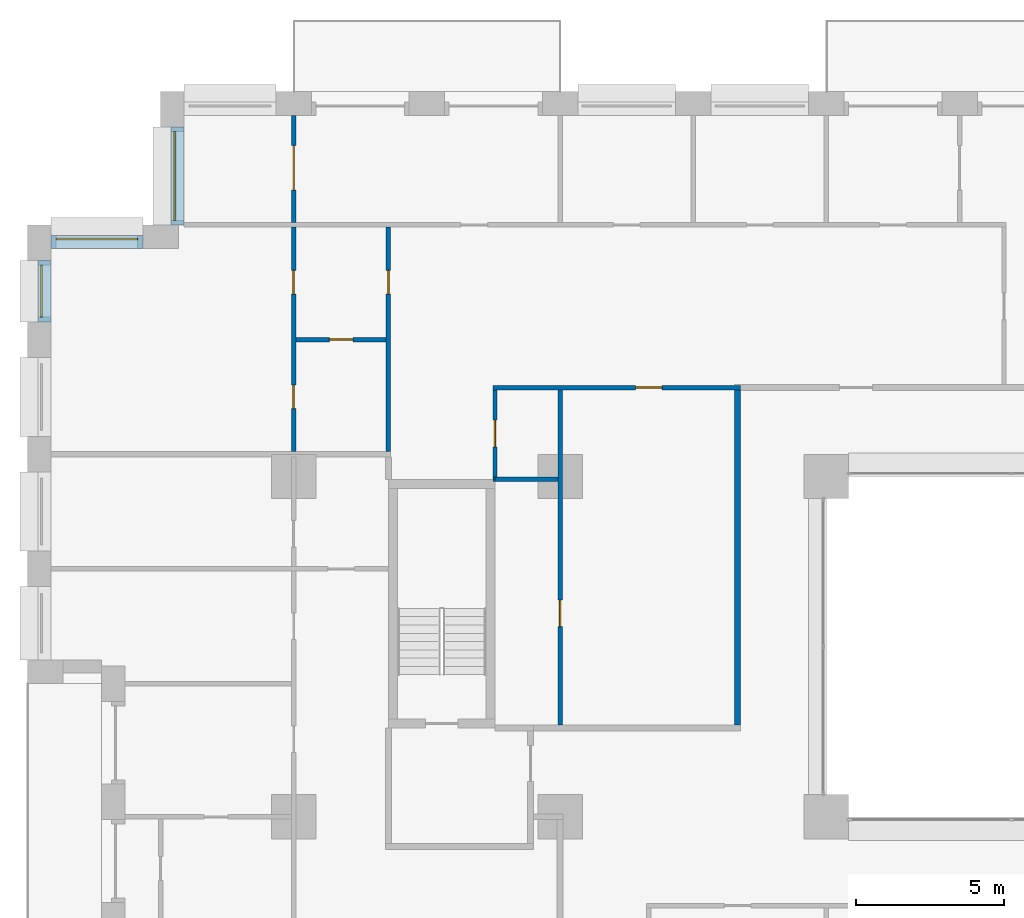
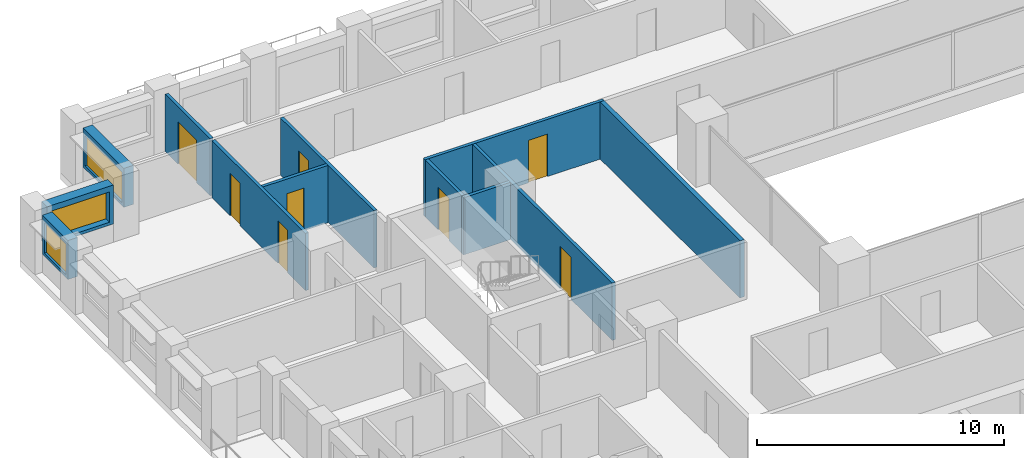
# One storey, part 14 of 20: 13 walls, 8 doors, 3 windows, 11 openings.
"""IFC4 building model written with IfcOpenShell, lengths in metres."""

from ifc_helpers import new_model, si_unit, direction, frame, frame_2d, origin, place, context, subcontext, project, spatial, rectangle, extrude, material, layer, layer_set, type_object, element, fill, save


model = new_model("IFC4")

# Units and contexts
model_context = context("Model", 3, precision=1e-05, world=origin(), true_north=direction((0.0, 1.0)))
body_context = subcontext(model_context, "Body", "Model", "MODEL_VIEW")
ifc_project = project(units=[si_unit("LENGTHUNIT", "METRE"), si_unit("AREAUNIT", "SQUARE_METRE"), si_unit("VOLUMEUNIT", "CUBIC_METRE"), si_unit("PLANEANGLEUNIT", "RADIAN"), si_unit("MASSUNIT", "GRAM", prefix="KILO")], contexts=[model_context])

# Site, building, storey
site_placement = place(None, origin())
site = spatial("IfcSite", under=ifc_project, at=site_placement, CompositionType="ELEMENT")
building_placement = place(site_placement, origin())
building = spatial("IfcBuilding", under=site, at=building_placement, Name="Brigalow Station Residences", CompositionType="ELEMENT")
storey_placement = place(building_placement, frame((0.0, 0.0, 41.550048828125)))
storey = spatial("IfcBuildingStorey", under=building, at=storey_placement, Name="L11", CompositionType="ELEMENT", Elevation=41.550048828125)

# Wall, opening, window
ifc_material_1 = material(Name="Clay brick masonry", Category="masonry")
ifc_layer_1 = layer(ifc_material_1, 0.449951171875)
ifc_layer_set_1 = layer_set([ifc_layer_1], Name="BRICK INFILL WALL 450")
wall_type_1 = type_object("IfcWallType", Name="BRICK INFILL WALL 450", PredefinedType="SOLIDWALL", material=ifc_layer_set_1)
wall_1_placement = place(storey_placement, frame((5.074951171875, 47.300048828125, 0.89990234375), z_axis=(0.0, 0.0, 1.0), x_axis=(0.0, -1.0, 0.0)))
wall_1 = element("IfcWall", 1, at=wall_1_placement, inside=storey, type_object=wall_type_1, Name="L11/ewall/W-L11-40", PredefinedType="SOLIDWALL", context=body_context, shape_type="SweptSolid", body=[
    extrude(rectangle(XDim=3.300048828125, YDim=0.449951171875, at=frame_2d((1.64990234375, 0.0))), origin(), (0.0, 0.0, 1.0), 1.929931640625),
])
opening_1_placement = place(wall_1_placement, frame((0.14990234375, 0.0, 0.14990234375)))
opening_1 = element("IfcOpeningElement", 2, at=opening_1_placement, cuts=wall_1, Name="Opening WT-2", PredefinedType="OPENING", context=body_context, shape_type="SweptSolid", body=[
    extrude(rectangle(XDim=3.0, YDim=1.5, at=frame_2d((1.5, 0.75))), frame((0.0, 0.23486328125, 0.0), z_axis=(0.0, -1.0, 0.0), x_axis=(1.0, 0.0, 0.0)), (0.0, 0.0, 1.0), 0.469970703125),
])
ifc_material_2 = material(Name="Anodised aluminium frame with double glazing", Category="aluminium")
window_type_1 = type_object("IfcWindowType", Name="WINDOW 3000x1500", PartitioningType="SINGLE_PANEL", PredefinedType="WINDOW", material=ifc_material_2)
window_1_placement = place(opening_1_placement, origin())
window_1 = element("IfcWindow", 3, at=window_1_placement, inside=storey, type_object=window_type_1, Name="L11/window/W-L11-40", OverallHeight=1.5, OverallWidth=3.0, PartitioningType="SINGLE_PANEL", PredefinedType="WINDOW", context=body_context, shape_type="SweptSolid", body=[
    extrude(rectangle(XDim=3.0, YDim=1.5, at=frame_2d((1.5, 0.75))), frame((0.0, -0.06494140625, 0.0), z_axis=(0.0, -1.0, 0.0), x_axis=(1.0, 0.0, 0.0)), (0.0, 0.0, 1.0), 0.06005859375),
])
fill(opening_1, window_1)

wall_2_placement = place(storey_placement, frame((3.89990234375, 43.425048828125, 0.89990234375), z_axis=(0.0, 0.0, 1.0), x_axis=(-1.0, 0.0, 0.0)))
wall_2 = element("IfcWall", 4, at=wall_2_placement, inside=storey, type_object=wall_type_1, Name="L11/ewall/W-L11-41", PredefinedType="SOLIDWALL", context=body_context, shape_type="SweptSolid", body=[
    extrude(rectangle(XDim=3.099853515625, YDim=0.449951171875, at=frame_2d((1.5498046875, 0.0))), origin(), (0.0, 0.0, 1.0), 1.929931640625),
])
opening_2_placement = place(wall_2_placement, frame((0.175048828125, 0.0, 0.14990234375)))
opening_2 = element("IfcOpeningElement", 5, at=opening_2_placement, cuts=wall_2, Name="Opening WT-3", PredefinedType="OPENING", context=body_context, shape_type="SweptSolid", body=[
    extrude(rectangle(XDim=2.75, YDim=1.5, at=frame_2d((1.375, 0.75))), frame((0.0, 0.23486328125, 0.0), z_axis=(0.0, -1.0, 0.0), x_axis=(1.0, 0.0, 0.0)), (0.0, 0.0, 1.0), 0.469970703125),
])
ifc_material_3 = material(Name="Anodised aluminium frame with double glazing", Category="aluminium")
window_type_2 = type_object("IfcWindowType", Name="WINDOW 2750x1500", PartitioningType="SINGLE_PANEL", PredefinedType="WINDOW", material=ifc_material_3)
window_2_placement = place(opening_2_placement, origin())
window_2 = element("IfcWindow", 6, at=window_2_placement, inside=storey, type_object=window_type_2, Name="L11/window/W-L11-41", OverallHeight=1.5, OverallWidth=2.75, PartitioningType="SINGLE_PANEL", PredefinedType="WINDOW", context=body_context, shape_type="SweptSolid", body=[
    extrude(rectangle(XDim=2.75, YDim=1.5, at=frame_2d((1.375, 0.75))), frame((0.0, -0.06494140625, 0.0), z_axis=(0.0, -1.0, 0.0), x_axis=(1.0, 0.0, 0.0)), (0.0, 0.0, 1.0), 0.06005859375),
])
fill(opening_2, window_2)

wall_3_placement = place(storey_placement, frame((0.574951171875, 42.800048828125, 0.89990234375), z_axis=(0.0, 0.0, 1.0), x_axis=(0.0, -1.0, 0.0)))
wall_3 = element("IfcWall", 7, at=wall_3_placement, inside=storey, type_object=wall_type_1, Name="L11/ewall/W-L11-42", PredefinedType="SOLIDWALL", context=body_context, shape_type="SweptSolid", body=[
    extrude(rectangle(XDim=2.074951171875, YDim=0.449951171875, at=frame_2d((1.03759765625, 0.0))), origin(), (0.0, 0.0, 1.0), 1.929931640625),
])
opening_3_placement = place(wall_3_placement, frame((0.16259765625, 0.0, 0.14990234375)))
opening_3 = element("IfcOpeningElement", 8, at=opening_3_placement, cuts=wall_3, Name="Opening WT-4", PredefinedType="OPENING", context=body_context, shape_type="SweptSolid", body=[
    extrude(rectangle(XDim=1.75, YDim=1.5, at=frame_2d((0.875, 0.75))), frame((0.0, 0.23486328125, 0.0), z_axis=(0.0, -1.0, 0.0), x_axis=(1.0, 0.0, 0.0)), (0.0, 0.0, 1.0), 0.469970703125),
])
ifc_material_4 = material(Name="Anodised aluminium frame with double glazing", Category="aluminium")
window_type_3 = type_object("IfcWindowType", Name="WINDOW 1750x1500", PartitioningType="SINGLE_PANEL", PredefinedType="WINDOW", material=ifc_material_4)
window_3_placement = place(opening_3_placement, origin())
window_3 = element("IfcWindow", 9, at=window_3_placement, inside=storey, type_object=window_type_3, Name="L11/window/W-L11-42", OverallHeight=1.5, OverallWidth=1.75, PartitioningType="SINGLE_PANEL", PredefinedType="WINDOW", context=body_context, shape_type="SweptSolid", body=[
    extrude(rectangle(XDim=1.75, YDim=1.5, at=frame_2d((0.875, 0.75))), frame((0.0, -0.06494140625, 0.0), z_axis=(0.0, -1.0, 0.0), x_axis=(1.0, 0.0, 0.0)), (0.0, 0.0, 1.0), 0.06005859375),
])
fill(opening_3, window_3)

# Wall, opening, door
ifc_material_5 = material(Name="Plasterboard on steel stud partition", Category="steel")
ifc_layer_2 = layer(ifc_material_5, 0.14990234375)
ifc_layer_set_2 = layer_set([ifc_layer_2], Name="FLAT PARTITION 150")
wall_type_2 = type_object("IfcWallType", Name="FLAT PARTITION 150", PredefinedType="PARTITIONING", material=ifc_layer_set_2)
wall_4_placement = place(storey_placement, frame((15.72509765625, 38.5, 0.0), z_axis=(0.0, 0.0, 1.0), x_axis=(1.0, 0.0, 0.0)))
wall_4 = element("IfcWall", 10, at=wall_4_placement, inside=storey, type_object=wall_type_2, Name="PW-1C09", PredefinedType="PARTITIONING", context=body_context, shape_type="SweptSolid", body=[
    extrude(rectangle(XDim=8.375, YDim=0.14990234375, at=frame_2d((4.1875, 0.0))), origin(), (0.0, 0.0, 1.0), 2.829833984375),
])
opening_4_placement = place(wall_4_placement, frame((4.824951171875, 0.0, 0.0)))
opening_4 = element("IfcOpeningElement", 11, at=opening_4_placement, cuts=wall_4, Name="Opening D-1C28", PredefinedType="OPENING", context=body_context, shape_type="SweptSolid", body=[
    extrude(rectangle(XDim=0.89990234375, YDim=2.10009765625, at=frame_2d((0.449951171875, 1.050048828125))), frame((0.0, 0.0849609375, 0.0), z_axis=(0.0, -1.0, 0.0), x_axis=(1.0, 0.0, 0.0)), (0.0, 0.0, 1.0), 0.169921875),
])
ifc_material_6 = material(Name="Solid-core timber door leaf", Category="wood")
door_type_1 = type_object("IfcDoorType", Name="INTERNAL DOOR 900 x 2100", OperationType="SINGLE_SWING_LEFT", PredefinedType="DOOR", material=ifc_material_6)
door_1_placement = place(opening_4_placement, frame((0.89990234375, 0.0, 0.0), z_axis=(0.0, 0.0, 1.0), x_axis=(-1.0, 0.0, 0.0)))
door_1 = element("IfcDoor", 12, at=door_1_placement, inside=storey, type_object=door_type_1, Name="D-1C28", OperationType="SINGLE_SWING_LEFT", OverallHeight=2.10009765625, OverallWidth=0.89990234375, PredefinedType="DOOR", context=body_context, shape_type="SweptSolid", body=[
    extrude(rectangle(XDim=0.89990234375, YDim=2.10009765625, at=frame_2d((0.449951171875, 1.050048828125))), frame((0.0, 0.02490234375, 0.0), z_axis=(0.0, -1.0, 0.0), x_axis=(1.0, 0.0, 0.0)), (0.0, 0.0, 1.0), 0.050048828125),
])
fill(opening_4, door_1)

# Walls
wall_5_placement = place(storey_placement, frame((15.72509765625, 35.39990234375, 0.0), z_axis=(0.0, 0.0, 1.0), x_axis=(1.0, 0.0, 0.0)))
element("IfcWall", 13, at=wall_5_placement, inside=storey, type_object=wall_type_2, Name="PW-1C28", PredefinedType="PARTITIONING", context=body_context, shape_type="SweptSolid", body=[
    extrude(rectangle(XDim=0.074951171875, YDim=0.14990234375, at=frame_2d((0.03759765625, 0.0))), origin(), (0.0, 0.0, 1.0), 2.829833984375),
])
wall_6_placement = place(storey_placement, frame((15.800048828125, 35.39990234375, 0.0), z_axis=(0.0, 0.0, 1.0), x_axis=(1.0, 0.0, 0.0)))
element("IfcWall", 14, at=wall_6_placement, inside=storey, type_object=wall_type_2, Name="PW-1C29", PredefinedType="PARTITIONING", context=body_context, shape_type="SweptSolid", body=[
    extrude(rectangle(XDim=2.125, YDim=0.14990234375, at=frame_2d((1.0625, 0.0))), origin(), (0.0, 0.0, 1.0), 2.829833984375),
])

# Wall, opening, door
wall_7_placement = place(storey_placement, frame((9.074951171875, 40.125, 0.0), z_axis=(0.0, 0.0, 1.0), x_axis=(1.0, 0.0, 0.0)))
wall_7 = element("IfcWall", 15, at=wall_7_placement, inside=storey, type_object=wall_type_2, Name="PW-1C32", PredefinedType="PARTITIONING", context=body_context, shape_type="SweptSolid", body=[
    extrude(rectangle(XDim=3.050048828125, YDim=0.14990234375, at=frame_2d((1.52490234375, 0.0))), origin(), (0.0, 0.0, 1.0), 2.829833984375),
])
opening_5_placement = place(wall_7_placement, frame((1.125, 0.0, 0.0)))
opening_5 = element("IfcOpeningElement", 16, at=opening_5_placement, cuts=wall_7, Name="Opening D-1C22", PredefinedType="OPENING", context=body_context, shape_type="SweptSolid", body=[
    extrude(rectangle(XDim=0.800048828125, YDim=2.10009765625, at=frame_2d((0.39990234375, 1.050048828125))), frame((0.0, 0.0849609375, 0.0), z_axis=(0.0, -1.0, 0.0), x_axis=(1.0, 0.0, 0.0)), (0.0, 0.0, 1.0), 0.169921875),
])
ifc_material_7 = material(Name="Solid-core timber door leaf", Category="wood")
door_type_2 = type_object("IfcDoorType", Name="INTERNAL DOOR 800 x 2100", OperationType="SINGLE_SWING_LEFT", PredefinedType="DOOR", material=ifc_material_7)
door_2_placement = place(opening_5_placement, frame((0.800048828125, 0.0, 0.0), z_axis=(0.0, 0.0, 1.0), x_axis=(-1.0, 0.0, 0.0)))
door_2 = element("IfcDoor", 17, at=door_2_placement, inside=storey, type_object=door_type_2, Name="D-1C22", OperationType="SINGLE_SWING_LEFT", OverallHeight=2.10009765625, OverallWidth=0.800048828125, PredefinedType="DOOR", context=body_context, shape_type="SweptSolid", body=[
    extrude(rectangle(XDim=0.800048828125, YDim=2.10009765625, at=frame_2d((0.39990234375, 1.050048828125))), frame((0.0, 0.02490234375, 0.0), z_axis=(0.0, -1.0, 0.0), x_axis=(1.0, 0.0, 0.0)), (0.0, 0.0, 1.0), 0.050048828125),
])
fill(opening_5, door_2)

wall_8_placement = place(storey_placement, frame((18.0, 27.10009765625, 0.0), z_axis=(0.0, 0.0, 1.0), x_axis=(0.0, 1.0, 0.0)))
wall_8 = element("IfcWall", 18, at=wall_8_placement, inside=storey, type_object=wall_type_2, Name="PW-1C38", PredefinedType="PARTITIONING", context=body_context, shape_type="SweptSolid", body=[
    extrude(rectangle(XDim=11.324951171875, YDim=0.14990234375, at=frame_2d((5.66259765625, 0.0))), origin(), (0.0, 0.0, 1.0), 2.829833984375),
])
opening_6_placement = place(wall_8_placement, frame((3.324951171875, 0.0, 0.0)))
opening_6 = element("IfcOpeningElement", 19, at=opening_6_placement, cuts=wall_8, Name="Opening D-1C31", PredefinedType="OPENING", context=body_context, shape_type="SweptSolid", body=[
    extrude(rectangle(XDim=0.89990234375, YDim=2.10009765625, at=frame_2d((0.449951171875, 1.050048828125))), frame((0.0, 0.0849609375, 0.0), z_axis=(0.0, -1.0, 0.0), x_axis=(1.0, 0.0, 0.0)), (0.0, 0.0, 1.0), 0.169921875),
])
door_3_placement = place(opening_6_placement, origin())
door_3 = element("IfcDoor", 20, at=door_3_placement, inside=storey, type_object=door_type_1, Name="D-1C31", OperationType="SINGLE_SWING_LEFT", OverallHeight=2.10009765625, OverallWidth=0.89990234375, PredefinedType="DOOR", context=body_context, shape_type="SweptSolid", body=[
    extrude(rectangle(XDim=0.89990234375, YDim=2.10009765625, at=frame_2d((0.449951171875, 1.050048828125))), frame((0.0, 0.02490234375, 0.0), z_axis=(0.0, -1.0, 0.0), x_axis=(1.0, 0.0, 0.0)), (0.0, 0.0, 1.0), 0.050048828125),
])
fill(opening_6, door_3)

# Wall, openings, doors
wall_9_placement = place(storey_placement, frame((9.0, 36.35009765625, 0.0), z_axis=(0.0, 0.0, 1.0), x_axis=(0.0, 1.0, 0.0)))
wall_9 = element("IfcWall", 21, at=wall_9_placement, inside=storey, type_object=wall_type_2, Name="PW-1C56", PredefinedType="PARTITIONING", context=body_context, shape_type="SweptSolid", body=[
    extrude(rectangle(XDim=7.574951171875, YDim=0.14990234375, at=frame_2d((3.78759765625, 0.0))), origin(), (0.0, 0.0, 1.0), 2.829833984375),
])
opening_7_placement = place(wall_9_placement, frame((5.31201171875, 0.0, 0.0)))
opening_7 = element("IfcOpeningElement", 22, at=opening_7_placement, cuts=wall_9, Name="Opening D-1C24", PredefinedType="OPENING", context=body_context, shape_type="SweptSolid", body=[
    extrude(rectangle(XDim=0.800048828125, YDim=2.10009765625, at=frame_2d((0.39990234375, 1.050048828125))), frame((0.0, 0.0849609375, 0.0), z_axis=(0.0, -1.0, 0.0), x_axis=(1.0, 0.0, 0.0)), (0.0, 0.0, 1.0), 0.169921875),
])
opening_8_placement = place(wall_9_placement, frame((1.43798828125, 0.0, 0.0)))
opening_8 = element("IfcOpeningElement", 23, at=opening_8_placement, cuts=wall_9, Name="Opening D-1C25", PredefinedType="OPENING", context=body_context, shape_type="SweptSolid", body=[
    extrude(rectangle(XDim=0.800048828125, YDim=2.10009765625, at=frame_2d((0.39990234375, 1.050048828125))), frame((0.0, 0.0849609375, 0.0), z_axis=(0.0, -1.0, 0.0), x_axis=(1.0, 0.0, 0.0)), (0.0, 0.0, 1.0), 0.169921875),
])
door_4_placement = place(opening_7_placement, frame((0.800048828125, 0.0, 0.0), z_axis=(0.0, 0.0, 1.0), x_axis=(-1.0, 0.0, 0.0)))
door_4 = element("IfcDoor", 24, at=door_4_placement, inside=storey, type_object=door_type_2, Name="D-1C24", OperationType="SINGLE_SWING_RIGHT", OverallHeight=2.10009765625, OverallWidth=0.800048828125, PredefinedType="DOOR", context=body_context, shape_type="SweptSolid", body=[
    extrude(rectangle(XDim=0.800048828125, YDim=2.10009765625, at=frame_2d((0.39990234375, 1.050048828125))), frame((0.0, 0.02490234375, 0.0), z_axis=(0.0, -1.0, 0.0), x_axis=(1.0, 0.0, 0.0)), (0.0, 0.0, 1.0), 0.050048828125),
])
fill(opening_7, door_4)
door_5_placement = place(opening_8_placement, frame((0.800048828125, 0.0, 0.0), z_axis=(0.0, 0.0, 1.0), x_axis=(-1.0, 0.0, 0.0)))
door_5 = element("IfcDoor", 25, at=door_5_placement, inside=storey, type_object=door_type_2, Name="D-1C25", OperationType="SINGLE_SWING_RIGHT", OverallHeight=2.10009765625, OverallWidth=0.800048828125, PredefinedType="DOOR", context=body_context, shape_type="SweptSolid", body=[
    extrude(rectangle(XDim=0.800048828125, YDim=2.10009765625, at=frame_2d((0.39990234375, 1.050048828125))), frame((0.0, 0.02490234375, 0.0), z_axis=(0.0, -1.0, 0.0), x_axis=(1.0, 0.0, 0.0)), (0.0, 0.0, 1.0), 0.050048828125),
])
fill(opening_8, door_5)

# Wall, opening, door
wall_10_placement = place(storey_placement, frame((9.0, 44.074951171875, 0.0), z_axis=(0.0, 0.0, 1.0), x_axis=(0.0, 1.0, 0.0)))
wall_10 = element("IfcWall", 26, at=wall_10_placement, inside=storey, type_object=wall_type_2, Name="PW-1C57", PredefinedType="PARTITIONING", context=body_context, shape_type="SweptSolid", body=[
    extrude(rectangle(XDim=3.625, YDim=0.14990234375, at=frame_2d((1.8125, 0.0))), origin(), (0.0, 0.0, 1.0), 2.829833984375),
])
opening_9_placement = place(wall_10_placement, frame((1.10009765625, 0.0, 0.0)))
opening_9 = element("IfcOpeningElement", 27, at=opening_9_placement, cuts=wall_10, Name="Opening D-1C21", PredefinedType="OPENING", context=body_context, shape_type="SweptSolid", body=[
    extrude(rectangle(XDim=1.5, YDim=2.10009765625, at=frame_2d((0.75, 1.050048828125))), frame((0.0, 0.0849609375, 0.0), z_axis=(0.0, -1.0, 0.0), x_axis=(1.0, 0.0, 0.0)), (0.0, 0.0, 1.0), 0.169921875),
])
ifc_material_8 = material(Name="Solid-core timber door leaf", Category="wood")
door_type_3 = type_object("IfcDoorType", Name="INTERNAL DOUBLE DOOR 1500 x 2100", OperationType="DOUBLE_DOOR_SINGLE_SWING", PredefinedType="DOOR", material=ifc_material_8)
door_6_placement = place(opening_9_placement, origin())
door_6 = element("IfcDoor", 28, at=door_6_placement, inside=storey, type_object=door_type_3, Name="D-1C21", OperationType="DOUBLE_DOOR_SINGLE_SWING", OverallHeight=2.10009765625, OverallWidth=1.5, PredefinedType="DOOR", context=body_context, shape_type="SweptSolid", body=[
    extrude(rectangle(XDim=1.5, YDim=2.10009765625, at=frame_2d((0.75, 1.050048828125))), frame((0.0, 0.02490234375, 0.0), z_axis=(0.0, -1.0, 0.0), x_axis=(1.0, 0.0, 0.0)), (0.0, 0.0, 1.0), 0.050048828125),
])
fill(opening_9, door_6)

wall_11_placement = place(storey_placement, frame((12.199951171875, 36.35009765625, 0.0), z_axis=(0.0, 0.0, 1.0), x_axis=(0.0, 1.0, 0.0)))
wall_11 = element("IfcWall", 29, at=wall_11_placement, inside=storey, type_object=wall_type_2, Name="PW-1C58", PredefinedType="PARTITIONING", context=body_context, shape_type="SweptSolid", body=[
    extrude(rectangle(XDim=7.574951171875, YDim=0.14990234375, at=frame_2d((3.78759765625, 0.0))), origin(), (0.0, 0.0, 1.0), 2.829833984375),
])
opening_10_placement = place(wall_11_placement, frame((5.31201171875, 0.0, 0.0)))
opening_10 = element("IfcOpeningElement", 30, at=opening_10_placement, cuts=wall_11, Name="Opening D-1C23", PredefinedType="OPENING", context=body_context, shape_type="SweptSolid", body=[
    extrude(rectangle(XDim=0.800048828125, YDim=2.10009765625, at=frame_2d((0.39990234375, 1.050048828125))), frame((0.0, 0.0849609375, 0.0), z_axis=(0.0, -1.0, 0.0), x_axis=(1.0, 0.0, 0.0)), (0.0, 0.0, 1.0), 0.169921875),
])
door_7_placement = place(opening_10_placement, origin())
door_7 = element("IfcDoor", 31, at=door_7_placement, inside=storey, type_object=door_type_2, Name="D-1C23", OperationType="SINGLE_SWING_LEFT", OverallHeight=2.10009765625, OverallWidth=0.800048828125, PredefinedType="DOOR", context=body_context, shape_type="SweptSolid", body=[
    extrude(rectangle(XDim=0.800048828125, YDim=2.10009765625, at=frame_2d((0.39990234375, 1.050048828125))), frame((0.0, 0.02490234375, 0.0), z_axis=(0.0, -1.0, 0.0), x_axis=(1.0, 0.0, 0.0)), (0.0, 0.0, 1.0), 0.050048828125),
])
fill(opening_10, door_7)

wall_12_placement = place(storey_placement, frame((15.800048828125, 35.47509765625, 0.0), z_axis=(0.0, 0.0, 1.0), x_axis=(0.0, 1.0, 0.0)))
wall_12 = element("IfcWall", 32, at=wall_12_placement, inside=storey, type_object=wall_type_2, Name="PW-1C61", PredefinedType="PARTITIONING", context=body_context, shape_type="SweptSolid", body=[
    extrude(rectangle(XDim=2.949951171875, YDim=0.14990234375, at=frame_2d((1.47509765625, 0.0))), origin(), (0.0, 0.0, 1.0), 2.829833984375),
])
opening_11_placement = place(wall_12_placement, frame((1.02490234375, 0.0, 0.0)))
opening_11 = element("IfcOpeningElement", 33, at=opening_11_placement, cuts=wall_12, Name="Opening D-1C30", PredefinedType="OPENING", context=body_context, shape_type="SweptSolid", body=[
    extrude(rectangle(XDim=0.89990234375, YDim=2.10009765625, at=frame_2d((0.449951171875, 1.050048828125))), frame((0.0, 0.0849609375, 0.0), z_axis=(0.0, -1.0, 0.0), x_axis=(1.0, 0.0, 0.0)), (0.0, 0.0, 1.0), 0.169921875),
])
door_8_placement = place(opening_11_placement, frame((0.89990234375, 0.0, 0.0), z_axis=(0.0, 0.0, 1.0), x_axis=(-1.0, 0.0, 0.0)))
door_8 = element("IfcDoor", 34, at=door_8_placement, inside=storey, type_object=door_type_1, Name="D-1C30", OperationType="SINGLE_SWING_LEFT", OverallHeight=2.10009765625, OverallWidth=0.89990234375, PredefinedType="DOOR", context=body_context, shape_type="SweptSolid", body=[
    extrude(rectangle(XDim=0.89990234375, YDim=2.10009765625, at=frame_2d((0.449951171875, 1.050048828125))), frame((0.0, 0.02490234375, 0.0), z_axis=(0.0, -1.0, 0.0), x_axis=(1.0, 0.0, 0.0)), (0.0, 0.0, 1.0), 0.050048828125),
])
fill(opening_11, door_8)

# Wall
ifc_material_9 = material(Name="Plasterboard on steel stud partition", Category="steel")
ifc_layer_3 = layer(ifc_material_9, 0.199951171875)
ifc_layer_set_3 = layer_set([ifc_layer_3], Name="PARTY AND CORRIDOR WALL 200")
wall_type_3 = type_object("IfcWallType", Name="PARTY AND CORRIDOR WALL 200", PredefinedType="PARTITIONING", material=ifc_layer_set_3)
wall_13_placement = place(storey_placement, frame((24.0, 27.10009765625, 0.0), z_axis=(0.0, 0.0, 1.0), x_axis=(0.0, 1.0, 0.0)))
element("IfcWall", 35, at=wall_13_placement, inside=storey, type_object=wall_type_3, Name="PW-1C47", PredefinedType="PARTITIONING", context=body_context, shape_type="SweptSolid", body=[
    extrude(rectangle(XDim=11.324951171875, YDim=0.199951171875, at=frame_2d((5.66259765625, 0.0))), origin(), (0.0, 0.0, 1.0), 2.829833984375),
])

save(model, "model.ifc")
